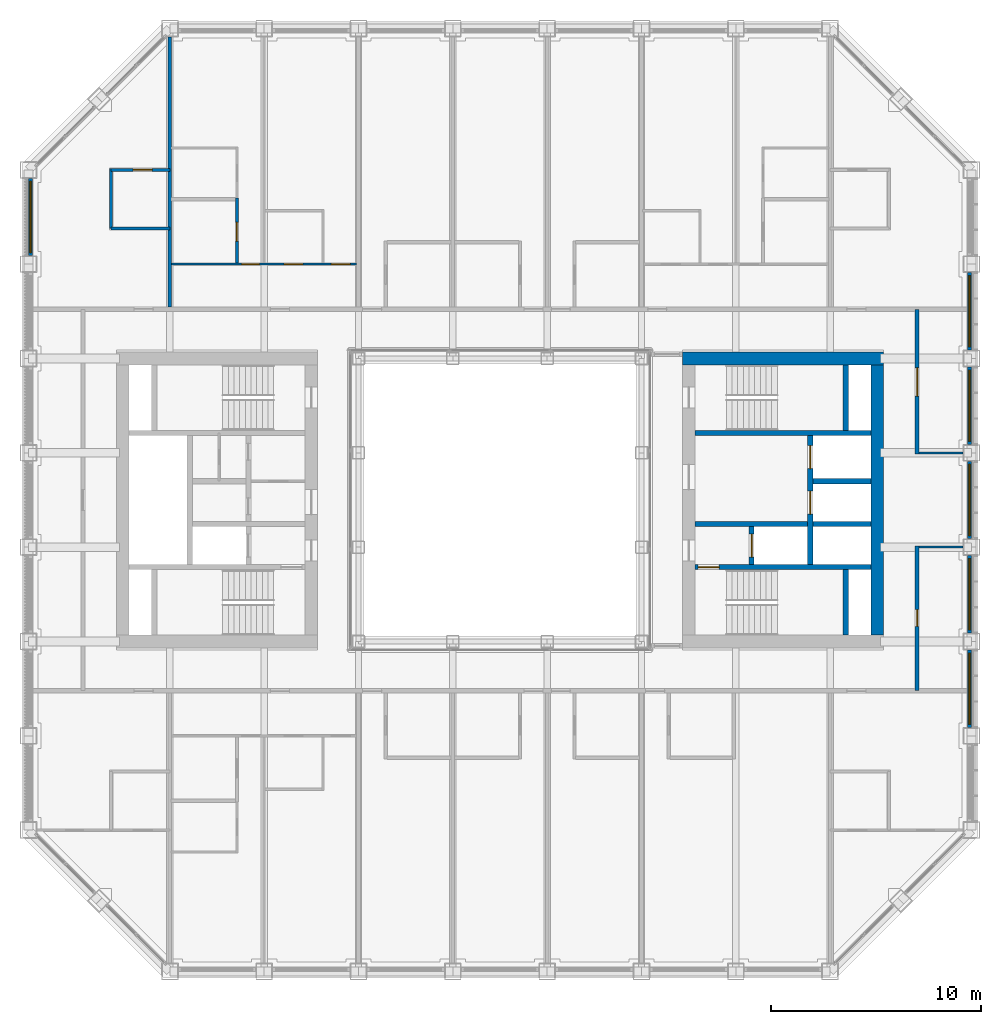
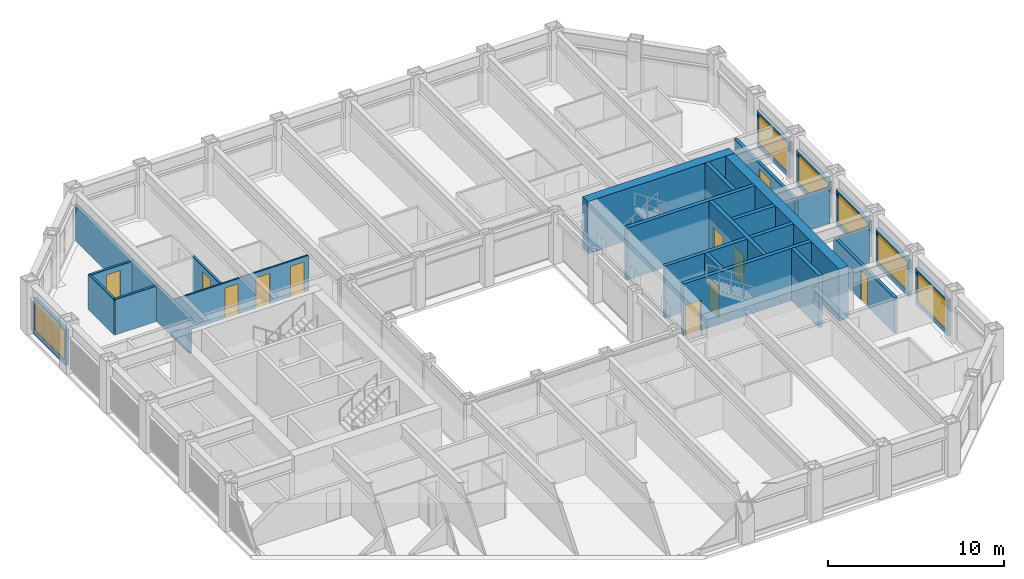
# One storey, part 13 of 18: 27 walls, 11 doors, 6 windows, 17 openings.
"""IFC4 building model written with IfcOpenShell, lengths in metres."""

from ifc_helpers import new_model, si_unit, direction, frame, frame_2d, origin, place, context, subcontext, project, spatial, rectangle, extrude, material, layer, layer_set, type_object, element, fill, save


model = new_model("IFC4")

# Units and contexts
model_context = context("Model", 3, precision=1e-05, world=origin(), true_north=direction((0.0, 1.0)))
body_context = subcontext(model_context, "Body", "Model", "MODEL_VIEW")
ifc_project = project(units=[si_unit("LENGTHUNIT", "METRE"), si_unit("AREAUNIT", "SQUARE_METRE"), si_unit("VOLUMEUNIT", "CUBIC_METRE"), si_unit("PLANEANGLEUNIT", "RADIAN"), si_unit("MASSUNIT", "GRAM", prefix="KILO")], contexts=[model_context])

# Site, building, storey
site_placement = place(None, origin())
site = spatial("IfcSite", under=ifc_project, at=site_placement, CompositionType="ELEMENT")
building_placement = place(site_placement, origin())
building = spatial("IfcBuilding", under=site, at=building_placement, Name="Msasa Ring Tower", CompositionType="ELEMENT")
storey_placement = place(building_placement, frame((0.0, 0.0, 183.199951171875)))
storey = spatial("IfcBuildingStorey", under=building, at=storey_placement, Name="L48", CompositionType="ELEMENT", Elevation=183.199951171875)

# Walls
ifc_material_1 = material(Name="Concrete C60/75", Category="concrete")
ifc_layer_1 = layer(ifc_material_1, 0.60009765625)
ifc_layer_set_1 = layer_set([ifc_layer_1], Name="CW2 CORE WALL 600")
wall_type_1 = type_object("IfcWallType", Name="CW2 CORE WALL 600", PredefinedType="SHEAR", material=ifc_layer_set_1)
wall_1_placement = place(storey_placement, frame((8.699951171875, 6.75, 0.0), z_axis=(0.0, 0.0, 1.0), x_axis=(1.0, 0.0, 0.0)))
element("IfcWall", 1, at=wall_1_placement, inside=storey, type_object=wall_type_1, Name="E core wall N L48", PredefinedType="SHEAR", context=body_context, shape_type="SweptSolid", body=[
    extrude(rectangle(XDim=9.60009765625, YDim=0.60009765625, at=frame_2d((4.800048828125, 0.0))), origin(), (0.0, 0.0, 1.0), 3.60009765625),
])
wall_2_placement = place(storey_placement, frame((18.0, -6.449951171875, 0.0), z_axis=(0.0, 0.0, 1.0), x_axis=(0.0, 1.0, 0.0)))
element("IfcWall", 2, at=wall_2_placement, inside=storey, type_object=wall_type_1, Name="E core wall E L48", PredefinedType="SHEAR", context=body_context, shape_type="SweptSolid", body=[
    extrude(rectangle(XDim=12.89990234375, YDim=0.60009765625, at=frame_2d((6.449951171875, 0.0))), origin(), (0.0, 0.0, 1.0), 3.60009765625),
])

# Wall, opening, door
ifc_material_2 = material(Name="Concrete C60/75", Category="concrete")
ifc_layer_2 = layer(ifc_material_2, 0.25)
ifc_layer_set_2 = layer_set([ifc_layer_2], Name="CW4 CORE INNER WALL 250")
wall_type_2 = type_object("IfcWallType", Name="CW4 CORE INNER WALL 250", PredefinedType="SHEAR", material=ifc_layer_set_2)
wall_3_placement = place(storey_placement, frame((9.300048828125, -3.199951171875, 0.0), z_axis=(0.0, 0.0, 1.0), x_axis=(1.0, 0.0, 0.0)))
wall_3 = element("IfcWall", 3, at=wall_3_placement, inside=storey, type_object=wall_type_2, Name="E core wall STAIRA L48", PredefinedType="SHEAR", context=body_context, shape_type="SweptSolid", body=[
    extrude(rectangle(XDim=8.39990234375, YDim=0.25, at=frame_2d((4.199951171875, 0.0))), origin(), (0.0, 0.0, 1.0), 3.60009765625),
])
opening_1_placement = place(wall_3_placement, frame((0.14990234375, 0.0, 0.0)))
opening_1 = element("IfcOpeningElement", 4, at=opening_1_placement, cuts=wall_3, Name="Opening HG-037", PredefinedType="OPENING", context=body_context, shape_type="SweptSolid", body=[
    extrude(rectangle(XDim=1.0, YDim=2.10009765625, at=frame_2d((0.5, 1.050048828125))), frame((0.0, 0.135009765625, 0.0), z_axis=(0.0, -1.0, 0.0), x_axis=(1.0, 0.0, 0.0)), (0.0, 0.0, 1.0), 0.27001953125),
])
ifc_material_3 = material(Name="Timber door leaf in a steel frame", Category="steel")
door_type_1 = type_object("IfcDoorType", Name="D6 STAIR DOOR 1000x2100", OperationType="SINGLE_SWING_LEFT", PredefinedType="DOOR", material=ifc_material_3)
door_1_placement = place(opening_1_placement, origin())
door_1 = element("IfcDoor", 5, at=door_1_placement, inside=storey, type_object=door_type_1, Name="Door L48-ESTA", OperationType="SINGLE_SWING_LEFT", OverallHeight=2.10009765625, OverallWidth=1.0, PredefinedType="DOOR", context=body_context, shape_type="SweptSolid", body=[
    extrude(rectangle(XDim=1.0, YDim=2.10009765625, at=frame_2d((0.5, 1.050048828125))), frame((0.0, 0.02490234375, 0.0), z_axis=(0.0, -1.0, 0.0), x_axis=(1.0, 0.0, 0.0)), (0.0, 0.0, 1.0), 0.050048828125),
])
fill(opening_1, door_1)

# Walls
wall_4_placement = place(storey_placement, frame((9.300048828125, 3.199951171875, 0.0), z_axis=(0.0, 0.0, 1.0), x_axis=(1.0, 0.0, 0.0)))
element("IfcWall", 6, at=wall_4_placement, inside=storey, type_object=wall_type_2, Name="E core wall STAIRB L48", PredefinedType="SHEAR", context=body_context, shape_type="SweptSolid", body=[
    extrude(rectangle(XDim=8.39990234375, YDim=0.25, at=frame_2d((4.199951171875, 0.0))), origin(), (0.0, 0.0, 1.0), 3.60009765625),
])
for number, where, z_axis, x_axis, name in (
    (7, (16.5, -6.449951171875, 0.0), (0.0, 0.0, 1.0), (0.0, 1.0, 0.0), "E core wall RISERA L48"),
    (8, (16.5, 3.324951171875, 0.0), (0.0, 0.0, 1.0), (0.0, 1.0, 0.0), "E core wall RISERB L48"),
):
    element("IfcWall", number, at=place(storey_placement, frame(where, z_axis=z_axis, x_axis=x_axis)), inside=storey, type_object=wall_type_2, Name=name, PredefinedType="SHEAR", context=body_context, shape_type="SweptSolid", body=[
        extrude(rectangle(XDim=3.125, YDim=0.25, at=frame_2d((1.5625, 0.0))), origin(), (0.0, 0.0, 1.0), 3.60009765625),
    ])
wall_5_placement = place(storey_placement, frame((9.300048828125, -1.14990234375, 0.0), z_axis=(0.0, 0.0, 1.0), x_axis=(1.0, 0.0, 0.0)))
element("IfcWall", 9, at=wall_5_placement, inside=storey, type_object=wall_type_2, Name="E core wall FFL L48", PredefinedType="SHEAR", context=body_context, shape_type="SweptSolid", body=[
    extrude(rectangle(XDim=5.375, YDim=0.25, at=frame_2d((2.6875, 0.0))), origin(), (0.0, 0.0, 1.0), 3.60009765625),
])

# Wall, opening, door
wall_6_placement = place(storey_placement, frame((12.0, -3.074951171875, 0.0), z_axis=(0.0, 0.0, 1.0), x_axis=(0.0, 1.0, 0.0)))
wall_6 = element("IfcWall", 10, at=wall_6_placement, inside=storey, type_object=wall_type_2, Name="E core wall LOBBY L48", PredefinedType="SHEAR", context=body_context, shape_type="SweptSolid", body=[
    extrude(rectangle(XDim=1.800048828125, YDim=0.25, at=frame_2d((0.89990234375, 0.0))), origin(), (0.0, 0.0, 1.0), 3.60009765625),
])
opening_2_placement = place(wall_6_placement, frame((0.35009765625, 0.0, 0.0)))
opening_2 = element("IfcOpeningElement", 11, at=opening_2_placement, cuts=wall_6, Name="Opening LD1", PredefinedType="OPENING", context=body_context, shape_type="SweptSolid", body=[
    extrude(rectangle(XDim=1.10009765625, YDim=2.10009765625, at=frame_2d((0.550048828125, 1.050048828125))), frame((0.0, 0.135009765625, 0.0), z_axis=(0.0, -1.0, 0.0), x_axis=(1.0, 0.0, 0.0)), (0.0, 0.0, 1.0), 0.27001953125),
])
ifc_material_4 = material(Name="Stainless steel lift landing door", Category="steel")
door_type_2 = type_object("IfcDoorType", Name="LD1 LIFT LANDING DOOR 1100x2100", OperationType="DOUBLE_DOOR_SLIDING", PredefinedType="DOOR", material=ifc_material_4)
door_2_placement = place(opening_2_placement, origin())
door_2 = element("IfcDoor", 12, at=door_2_placement, inside=storey, type_object=door_type_2, Name="Lift landing door FL-E L48", OperationType="DOUBLE_DOOR_SLIDING", OverallHeight=2.10009765625, OverallWidth=1.10009765625, PredefinedType="DOOR", context=body_context, shape_type="SweptSolid", body=[
    extrude(rectangle(XDim=1.10009765625, YDim=2.10009765625, at=frame_2d((0.550048828125, 1.050048828125))), frame((0.0, 0.02490234375, 0.0), z_axis=(0.0, -1.0, 0.0), x_axis=(1.0, 0.0, 0.0)), (0.0, 0.0, 1.0), 0.050048828125),
])
fill(opening_2, door_2)

# Wall, openings, doors
wall_7_placement = place(storey_placement, frame((14.800048828125, -3.074951171875, 0.0), z_axis=(0.0, 0.0, 1.0), x_axis=(0.0, 1.0, 0.0)))
wall_7 = element("IfcWall", 13, at=wall_7_placement, inside=storey, type_object=wall_type_2, Name="E core wall SHAFT L48", PredefinedType="SHEAR", context=body_context, shape_type="SweptSolid", body=[
    extrude(rectangle(XDim=6.14990234375, YDim=0.25, at=frame_2d((3.074951171875, 0.0))), origin(), (0.0, 0.0, 1.0), 3.60009765625),
])
opening_3_placement = place(wall_7_placement, frame((2.39990234375, 0.0, 0.0)))
opening_3 = element("IfcOpeningElement", 14, at=opening_3_placement, cuts=wall_7, Name="Opening LD1", PredefinedType="OPENING", context=body_context, shape_type="SweptSolid", body=[
    extrude(rectangle(XDim=1.10009765625, YDim=2.10009765625, at=frame_2d((0.550048828125, 1.050048828125))), frame((0.0, 0.135009765625, 0.0), z_axis=(0.0, -1.0, 0.0), x_axis=(1.0, 0.0, 0.0)), (0.0, 0.0, 1.0), 0.27001953125),
])
opening_4_placement = place(wall_7_placement, frame((4.574951171875, 0.0, 0.0)))
opening_4 = element("IfcOpeningElement", 15, at=opening_4_placement, cuts=wall_7, Name="Opening LD1", PredefinedType="OPENING", context=body_context, shape_type="SweptSolid", body=[
    extrude(rectangle(XDim=1.10009765625, YDim=2.10009765625, at=frame_2d((0.550048828125, 1.050048828125))), frame((0.0, 0.135009765625, 0.0), z_axis=(0.0, -1.0, 0.0), x_axis=(1.0, 0.0, 0.0)), (0.0, 0.0, 1.0), 0.27001953125),
])
door_3_placement = place(opening_3_placement, origin())
door_3 = element("IfcDoor", 16, at=door_3_placement, inside=storey, type_object=door_type_2, Name="Lift landing door PL-H1 L48", OperationType="DOUBLE_DOOR_SLIDING", OverallHeight=2.10009765625, OverallWidth=1.10009765625, PredefinedType="DOOR", context=body_context, shape_type="SweptSolid", body=[
    extrude(rectangle(XDim=1.10009765625, YDim=2.10009765625, at=frame_2d((0.550048828125, 1.050048828125))), frame((0.0, 0.02490234375, 0.0), z_axis=(0.0, -1.0, 0.0), x_axis=(1.0, 0.0, 0.0)), (0.0, 0.0, 1.0), 0.050048828125),
])
fill(opening_3, door_3)
door_4_placement = place(opening_4_placement, origin())
door_4 = element("IfcDoor", 17, at=door_4_placement, inside=storey, type_object=door_type_2, Name="Lift landing door PL-H2 L48", OperationType="DOUBLE_DOOR_SLIDING", OverallHeight=2.10009765625, OverallWidth=1.10009765625, PredefinedType="DOOR", context=body_context, shape_type="SweptSolid", body=[
    extrude(rectangle(XDim=1.10009765625, YDim=2.10009765625, at=frame_2d((0.550048828125, 1.050048828125))), frame((0.0, 0.02490234375, 0.0), z_axis=(0.0, -1.0, 0.0), x_axis=(1.0, 0.0, 0.0)), (0.0, 0.0, 1.0), 0.050048828125),
])
fill(opening_4, door_4)

# Walls
for number, where, z_axis, x_axis, name in (
    (18, (14.925048828125, -1.14990234375, 0.0), (0.0, 0.0, 1.0), (1.0, 0.0, 0.0), "E core wall HSEP L48"),
    (19, (14.925048828125, 0.89990234375, 0.0), (0.0, 0.0, 1.0), (1.0, 0.0, 0.0), "E core wall HLIFT L48"),
):
    element("IfcWall", number, at=place(storey_placement, frame(where, z_axis=z_axis, x_axis=x_axis)), inside=storey, type_object=wall_type_2, Name=name, PredefinedType="SHEAR", context=body_context, shape_type="SweptSolid", body=[
        extrude(rectangle(XDim=2.77490234375, YDim=0.25, at=frame_2d((1.387451171875, 0.0))), origin(), (0.0, 0.0, 1.0), 3.60009765625),
    ])

# Wall, opening, window
ifc_material_5 = material(Name="Terracotta rainscreen on blockwork", Category="masonry")
ifc_layer_3 = layer(ifc_material_5, 0.199951171875)
ifc_layer_set_3 = layer_set([ifc_layer_3], Name="FW1 TERRACOTTA-LINED INFILL BAY WALL 200")
wall_type_3 = type_object("IfcWallType", Name="FW1 TERRACOTTA-LINED INFILL BAY WALL 200", PredefinedType="SOLIDWALL", material=ifc_layer_set_3)
wall_8_placement = place(storey_placement, frame((22.39990234375, -10.844970703125, 0.0), z_axis=(0.0, 0.0, 1.0), x_axis=(0.0, 1.0, 0.0)))
wall_8 = element("IfcWall", 20, at=wall_8_placement, inside=storey, type_object=wall_type_3, Name="Infill bay wall E L48 10", PredefinedType="SOLIDWALL", context=body_context, shape_type="SweptSolid", body=[
    extrude(rectangle(XDim=3.68994140625, YDim=0.199951171875, at=frame_2d((1.844970703125, 0.0))), origin(), (0.0, 0.0, 1.0), 2.47900390625),
])
opening_5_placement = place(wall_8_placement, frame((0.14501953125, 0.0, 0.300048828125)))
opening_5 = element("IfcOpeningElement", 21, at=opening_5_placement, cuts=wall_8, Name="Opening WN2", PredefinedType="OPENING", context=body_context, shape_type="SweptSolid", body=[
    extrude(rectangle(XDim=3.39990234375, YDim=2.029052734375, at=frame_2d((1.699951171875, 1.0146484375))), frame((0.0, 0.10986328125, 0.0), z_axis=(0.0, -1.0, 0.0), x_axis=(1.0, 0.0, 0.0)), (0.0, 0.0, 1.0), 0.219970703125),
])
ifc_material_6 = material(Name="Aluminium frame with clear glass", Category="aluminium")
window_type = type_object("IfcWindowType", Name="WN2 GUEST ROOM WINDOW 3400x2029", PartitioningType="SINGLE_PANEL", PredefinedType="WINDOW", material=ifc_material_6)
window_1_placement = place(opening_5_placement, origin())
window_1 = element("IfcWindow", 22, at=window_1_placement, inside=storey, type_object=window_type, Name="Window E L48 10", OverallHeight=2.029052734375, OverallWidth=3.39990234375, PartitioningType="SINGLE_PANEL", PredefinedType="WINDOW", context=body_context, shape_type="SweptSolid", body=[
    extrude(rectangle(XDim=3.39990234375, YDim=2.029052734375, at=frame_2d((1.699951171875, 1.0146484375))), frame((0.0, 0.030029296875, 0.0), z_axis=(0.0, -1.0, 0.0), x_axis=(1.0, 0.0, 0.0)), (0.0, 0.0, 1.0), 0.06005859375),
])
fill(opening_5, window_1)

wall_9_placement = place(storey_placement, frame((22.39990234375, -6.344970703125, 0.0), z_axis=(0.0, 0.0, 1.0), x_axis=(0.0, 1.0, 0.0)))
wall_9 = element("IfcWall", 23, at=wall_9_placement, inside=storey, type_object=wall_type_3, Name="Infill bay wall E L48 11", PredefinedType="SOLIDWALL", context=body_context, shape_type="SweptSolid", body=[
    extrude(rectangle(XDim=3.68994140625, YDim=0.199951171875, at=frame_2d((1.844970703125, 0.0))), origin(), (0.0, 0.0, 1.0), 2.47900390625),
])
opening_6_placement = place(wall_9_placement, frame((0.14501953125, 0.0, 0.300048828125)))
opening_6 = element("IfcOpeningElement", 24, at=opening_6_placement, cuts=wall_9, Name="Opening WN2", PredefinedType="OPENING", context=body_context, shape_type="SweptSolid", body=[
    extrude(rectangle(XDim=3.39990234375, YDim=2.029052734375, at=frame_2d((1.699951171875, 1.0146484375))), frame((0.0, 0.10986328125, 0.0), z_axis=(0.0, -1.0, 0.0), x_axis=(1.0, 0.0, 0.0)), (0.0, 0.0, 1.0), 0.219970703125),
])
window_2_placement = place(opening_6_placement, origin())
window_2 = element("IfcWindow", 25, at=window_2_placement, inside=storey, type_object=window_type, Name="Window E L48 11", OverallHeight=2.029052734375, OverallWidth=3.39990234375, PartitioningType="SINGLE_PANEL", PredefinedType="WINDOW", context=body_context, shape_type="SweptSolid", body=[
    extrude(rectangle(XDim=3.39990234375, YDim=2.029052734375, at=frame_2d((1.699951171875, 1.0146484375))), frame((0.0, 0.030029296875, 0.0), z_axis=(0.0, -1.0, 0.0), x_axis=(1.0, 0.0, 0.0)), (0.0, 0.0, 1.0), 0.06005859375),
])
fill(opening_6, window_2)

wall_10_placement = place(storey_placement, frame((22.39990234375, -1.844970703125, 0.0), z_axis=(0.0, 0.0, 1.0), x_axis=(0.0, 1.0, 0.0)))
wall_10 = element("IfcWall", 26, at=wall_10_placement, inside=storey, type_object=wall_type_3, Name="Infill bay wall E L48 12", PredefinedType="SOLIDWALL", context=body_context, shape_type="SweptSolid", body=[
    extrude(rectangle(XDim=3.68994140625, YDim=0.199951171875, at=frame_2d((1.844970703125, 0.0))), origin(), (0.0, 0.0, 1.0), 2.47900390625),
])
opening_7_placement = place(wall_10_placement, frame((0.14501953125, 0.0, 0.300048828125)))
opening_7 = element("IfcOpeningElement", 27, at=opening_7_placement, cuts=wall_10, Name="Opening WN2", PredefinedType="OPENING", context=body_context, shape_type="SweptSolid", body=[
    extrude(rectangle(XDim=3.39990234375, YDim=2.029052734375, at=frame_2d((1.699951171875, 1.0146484375))), frame((0.0, 0.10986328125, 0.0), z_axis=(0.0, -1.0, 0.0), x_axis=(1.0, 0.0, 0.0)), (0.0, 0.0, 1.0), 0.219970703125),
])
window_3_placement = place(opening_7_placement, origin())
window_3 = element("IfcWindow", 28, at=window_3_placement, inside=storey, type_object=window_type, Name="Window E L48 12", OverallHeight=2.029052734375, OverallWidth=3.39990234375, PartitioningType="SINGLE_PANEL", PredefinedType="WINDOW", context=body_context, shape_type="SweptSolid", body=[
    extrude(rectangle(XDim=3.39990234375, YDim=2.029052734375, at=frame_2d((1.699951171875, 1.0146484375))), frame((0.0, 0.030029296875, 0.0), z_axis=(0.0, -1.0, 0.0), x_axis=(1.0, 0.0, 0.0)), (0.0, 0.0, 1.0), 0.06005859375),
])
fill(opening_7, window_3)

wall_11_placement = place(storey_placement, frame((22.39990234375, 2.655029296875, 0.0), z_axis=(0.0, 0.0, 1.0), x_axis=(0.0, 1.0, 0.0)))
wall_11 = element("IfcWall", 29, at=wall_11_placement, inside=storey, type_object=wall_type_3, Name="Infill bay wall E L48 13", PredefinedType="SOLIDWALL", context=body_context, shape_type="SweptSolid", body=[
    extrude(rectangle(XDim=3.68994140625, YDim=0.199951171875, at=frame_2d((1.844970703125, 0.0))), origin(), (0.0, 0.0, 1.0), 2.47900390625),
])
opening_8_placement = place(wall_11_placement, frame((0.14501953125, 0.0, 0.300048828125)))
opening_8 = element("IfcOpeningElement", 30, at=opening_8_placement, cuts=wall_11, Name="Opening WN2", PredefinedType="OPENING", context=body_context, shape_type="SweptSolid", body=[
    extrude(rectangle(XDim=3.39990234375, YDim=2.029052734375, at=frame_2d((1.699951171875, 1.0146484375))), frame((0.0, 0.10986328125, 0.0), z_axis=(0.0, -1.0, 0.0), x_axis=(1.0, 0.0, 0.0)), (0.0, 0.0, 1.0), 0.219970703125),
])
window_4_placement = place(opening_8_placement, origin())
window_4 = element("IfcWindow", 31, at=window_4_placement, inside=storey, type_object=window_type, Name="Window E L48 13", OverallHeight=2.029052734375, OverallWidth=3.39990234375, PartitioningType="SINGLE_PANEL", PredefinedType="WINDOW", context=body_context, shape_type="SweptSolid", body=[
    extrude(rectangle(XDim=3.39990234375, YDim=2.029052734375, at=frame_2d((1.699951171875, 1.0146484375))), frame((0.0, 0.030029296875, 0.0), z_axis=(0.0, -1.0, 0.0), x_axis=(1.0, 0.0, 0.0)), (0.0, 0.0, 1.0), 0.06005859375),
])
fill(opening_8, window_4)

wall_12_placement = place(storey_placement, frame((22.39990234375, 7.155029296875, 0.0), z_axis=(0.0, 0.0, 1.0), x_axis=(0.0, 1.0, 0.0)))
wall_12 = element("IfcWall", 32, at=wall_12_placement, inside=storey, type_object=wall_type_3, Name="Infill bay wall E L48 14", PredefinedType="SOLIDWALL", context=body_context, shape_type="SweptSolid", body=[
    extrude(rectangle(XDim=3.68994140625, YDim=0.199951171875, at=frame_2d((1.844970703125, 0.0))), origin(), (0.0, 0.0, 1.0), 2.47900390625),
])
opening_9_placement = place(wall_12_placement, frame((0.14501953125, 0.0, 0.300048828125)))
opening_9 = element("IfcOpeningElement", 33, at=opening_9_placement, cuts=wall_12, Name="Opening WN2", PredefinedType="OPENING", context=body_context, shape_type="SweptSolid", body=[
    extrude(rectangle(XDim=3.39990234375, YDim=2.029052734375, at=frame_2d((1.699951171875, 1.0146484375))), frame((0.0, 0.10986328125, 0.0), z_axis=(0.0, -1.0, 0.0), x_axis=(1.0, 0.0, 0.0)), (0.0, 0.0, 1.0), 0.219970703125),
])
window_5_placement = place(opening_9_placement, origin())
window_5 = element("IfcWindow", 34, at=window_5_placement, inside=storey, type_object=window_type, Name="Window E L48 14", OverallHeight=2.029052734375, OverallWidth=3.39990234375, PartitioningType="SINGLE_PANEL", PredefinedType="WINDOW", context=body_context, shape_type="SweptSolid", body=[
    extrude(rectangle(XDim=3.39990234375, YDim=2.029052734375, at=frame_2d((1.699951171875, 1.0146484375))), frame((0.0, 0.030029296875, 0.0), z_axis=(0.0, -1.0, 0.0), x_axis=(1.0, 0.0, 0.0)), (0.0, 0.0, 1.0), 0.06005859375),
])
fill(opening_9, window_5)

wall_13_placement = place(storey_placement, frame((-22.39990234375, 11.655029296875, 0.0), z_axis=(0.0, 0.0, 1.0), x_axis=(0.0, 1.0, 0.0)))
wall_13 = element("IfcWall", 35, at=wall_13_placement, inside=storey, type_object=wall_type_3, Name="Infill bay wall W L48 33", PredefinedType="SOLIDWALL", context=body_context, shape_type="SweptSolid", body=[
    extrude(rectangle(XDim=3.68994140625, YDim=0.199951171875, at=frame_2d((1.844970703125, 0.0))), origin(), (0.0, 0.0, 1.0), 2.47900390625),
])
opening_10_placement = place(wall_13_placement, frame((0.14501953125, 0.0, 0.300048828125)))
opening_10 = element("IfcOpeningElement", 36, at=opening_10_placement, cuts=wall_13, Name="Opening WN2", PredefinedType="OPENING", context=body_context, shape_type="SweptSolid", body=[
    extrude(rectangle(XDim=3.39990234375, YDim=2.029052734375, at=frame_2d((1.699951171875, 1.0146484375))), frame((0.0, 0.10986328125, 0.0), z_axis=(0.0, -1.0, 0.0), x_axis=(1.0, 0.0, 0.0)), (0.0, 0.0, 1.0), 0.219970703125),
])
window_6_placement = place(opening_10_placement, origin())
window_6 = element("IfcWindow", 37, at=window_6_placement, inside=storey, type_object=window_type, Name="Window W L48 33", OverallHeight=2.029052734375, OverallWidth=3.39990234375, PartitioningType="SINGLE_PANEL", PredefinedType="WINDOW", context=body_context, shape_type="SweptSolid", body=[
    extrude(rectangle(XDim=3.39990234375, YDim=2.029052734375, at=frame_2d((1.699951171875, 1.0146484375))), frame((0.0, 0.030029296875, 0.0), z_axis=(0.0, -1.0, 0.0), x_axis=(1.0, 0.0, 0.0)), (0.0, 0.0, 1.0), 0.06005859375),
])
fill(opening_10, window_6)

# Wall, opening, door
ifc_material_7 = material(Name="Concrete blockwork", Category="masonry")
ifc_layer_4 = layer(ifc_material_7, 0.199951171875)
ifc_layer_set_4 = layer_set([ifc_layer_4], Name="PT1 CORRIDOR WALL 200")
wall_type_4 = type_object("IfcWallType", Name="PT1 CORRIDOR WALL 200", PredefinedType="PARTITIONING", material=ifc_layer_set_4)
wall_14_placement = place(storey_placement, frame((19.89990234375, -9.10009765625, 0.0), z_axis=(0.0, 0.0, 1.0), x_axis=(0.0, 1.0, 0.0)))
wall_14 = element("IfcWall", 38, at=wall_14_placement, inside=storey, type_object=wall_type_4, Name="Corridor wall L48-STRES", PredefinedType="PARTITIONING", context=body_context, shape_type="SweptSolid", body=[
    extrude(rectangle(XDim=6.900146484375, YDim=0.199951171875, at=frame_2d((3.4501953125, 0.0))), origin(), (0.0, 0.0, 1.0), 2.473388671875),
])
opening_11_placement = place(wall_14_placement, frame((3.074951171875, 0.0, 0.0)))
opening_11 = element("IfcOpeningElement", 39, at=opening_11_placement, cuts=wall_14, Name="Opening HG-038", PredefinedType="OPENING", context=body_context, shape_type="SweptSolid", body=[
    extrude(rectangle(XDim=0.800048828125, YDim=2.10009765625, at=frame_2d((0.39990234375, 1.050048828125))), frame((0.0, 0.10986328125, 0.0), z_axis=(0.0, -1.0, 0.0), x_axis=(1.0, 0.0, 0.0)), (0.0, 0.0, 1.0), 0.219970703125),
])
ifc_material_8 = material(Name="Timber door leaf in a steel frame", Category="steel")
door_type_3 = type_object("IfcDoorType", Name="D11 NARROW STORE DOOR 800x2100", OperationType="SINGLE_SWING_LEFT", PredefinedType="DOOR", material=ifc_material_8)
door_5_placement = place(opening_11_placement, origin())
door_5 = element("IfcDoor", 40, at=door_5_placement, inside=storey, type_object=door_type_3, Name="Door L48-CLE", OperationType="SINGLE_SWING_LEFT", OverallHeight=2.10009765625, OverallWidth=0.800048828125, PredefinedType="DOOR", context=body_context, shape_type="SweptSolid", body=[
    extrude(rectangle(XDim=0.800048828125, YDim=2.10009765625, at=frame_2d((0.39990234375, 1.050048828125))), frame((0.0, 0.02490234375, 0.0), z_axis=(0.0, -1.0, 0.0), x_axis=(1.0, 0.0, 0.0)), (0.0, 0.0, 1.0), 0.050048828125),
])
fill(opening_11, door_5)

wall_15_placement = place(storey_placement, frame((19.89990234375, 2.199951171875, 0.0), z_axis=(0.0, 0.0, 1.0), x_axis=(0.0, 1.0, 0.0)))
wall_15 = element("IfcWall", 41, at=wall_15_placement, inside=storey, type_object=wall_type_4, Name="Corridor wall L48-STREN", PredefinedType="PARTITIONING", context=body_context, shape_type="SweptSolid", body=[
    extrude(rectangle(XDim=6.900146484375, YDim=0.199951171875, at=frame_2d((3.4501953125, 0.0))), origin(), (0.0, 0.0, 1.0), 2.473388671875),
])
opening_12_placement = place(wall_15_placement, frame((2.75, 0.0, 0.0)))
opening_12 = element("IfcOpeningElement", 42, at=opening_12_placement, cuts=wall_15, Name="Opening HG-024", PredefinedType="OPENING", context=body_context, shape_type="SweptSolid", body=[
    extrude(rectangle(XDim=1.35009765625, YDim=2.10009765625, at=frame_2d((0.675048828125, 1.050048828125))), frame((0.0, 0.10986328125, 0.0), z_axis=(0.0, -1.0, 0.0), x_axis=(1.0, 0.0, 0.0)), (0.0, 0.0, 1.0), 0.219970703125),
])
ifc_material_9 = material(Name="Timber door leaf in a steel frame", Category="steel")
door_type_4 = type_object("IfcDoorType", Name="D23 HOUSEKEEPING UNEQUAL PAIR OF DOORS 1350x2100", OperationType="SINGLE_SWING_LEFT", PredefinedType="DOOR", material=ifc_material_9)
door_6_placement = place(opening_12_placement, origin())
door_6 = element("IfcDoor", 43, at=door_6_placement, inside=storey, type_object=door_type_4, Name="Door L48-HKE", OperationType="SINGLE_SWING_LEFT", OverallHeight=2.10009765625, OverallWidth=1.35009765625, PredefinedType="DOOR", context=body_context, shape_type="SweptSolid", body=[
    extrude(rectangle(XDim=1.35009765625, YDim=2.10009765625, at=frame_2d((0.675048828125, 1.050048828125))), frame((0.0, 0.02490234375, 0.0), z_axis=(0.0, -1.0, 0.0), x_axis=(1.0, 0.0, 0.0)), (0.0, 0.0, 1.0), 0.050048828125),
])
fill(opening_12, door_6)

# Wall, openings, doors
ifc_material_10 = material(Name="Gypsum board on steel studs", Category="steel")
ifc_layer_5 = layer(ifc_material_10, 0.10009765625)
ifc_layer_set_5 = layer_set([ifc_layer_5], Name="PT2 STUD PARTITION 100")
wall_type_5 = type_object("IfcWallType", Name="PT2 STUD PARTITION 100", PredefinedType="PARTITIONING", material=ifc_layer_set_5)
wall_16_placement = place(storey_placement, frame((-15.66259765625, 11.25, 0.0), z_axis=(0.0, 0.0, 1.0), x_axis=(1.0, 0.0, 0.0)))
wall_16 = element("IfcWall", 44, at=wall_16_placement, inside=storey, type_object=wall_type_5, Name="Partition L48-GN00HY", PredefinedType="PARTITIONING", context=body_context, shape_type="SweptSolid", body=[
    extrude(rectangle(XDim=8.8251953125, YDim=0.10009765625, at=frame_2d((4.41259765625, 0.0))), origin(), (0.0, 0.0, 1.0), 2.473388671875),
])
opening_13_placement = place(wall_16_placement, frame((5.362548828125, 0.0, 0.0)))
opening_13 = element("IfcOpeningElement", 45, at=opening_13_placement, cuts=wall_16, Name="Opening HG-008", PredefinedType="OPENING", context=body_context, shape_type="SweptSolid", body=[
    extrude(rectangle(XDim=0.89990234375, YDim=2.10009765625, at=frame_2d((0.449951171875, 1.050048828125))), frame((0.0, 0.06005859375, 0.0), z_axis=(0.0, -1.0, 0.0), x_axis=(1.0, 0.0, 0.0)), (0.0, 0.0, 1.0), 0.1201171875),
])
opening_14_placement = place(wall_16_placement, frame((7.612548828125, 0.0, 0.0)))
opening_14 = element("IfcOpeningElement", 46, at=opening_14_placement, cuts=wall_16, Name="Opening HG-009", PredefinedType="OPENING", context=body_context, shape_type="SweptSolid", body=[
    extrude(rectangle(XDim=0.89990234375, YDim=2.10009765625, at=frame_2d((0.449951171875, 1.050048828125))), frame((0.0, 0.06005859375, 0.0), z_axis=(0.0, -1.0, 0.0), x_axis=(1.0, 0.0, 0.0)), (0.0, 0.0, 1.0), 0.1201171875),
])
opening_15_placement = place(wall_16_placement, frame((3.33740234375, 0.0, 0.0)))
opening_15 = element("IfcOpeningElement", 47, at=opening_15_placement, cuts=wall_16, Name="Opening HG-007", PredefinedType="OPENING", context=body_context, shape_type="SweptSolid", body=[
    extrude(rectangle(XDim=0.85009765625, YDim=2.10009765625, at=frame_2d((0.425048828125, 1.050048828125))), frame((0.0, 0.06005859375, 0.0), z_axis=(0.0, -1.0, 0.0), x_axis=(1.0, 0.0, 0.0)), (0.0, 0.0, 1.0), 0.1201171875),
])
ifc_material_11 = material(Name="Timber door leaf in a steel frame", Category="steel")
door_type_5 = type_object("IfcDoorType", Name="D14 BEDROOM DOOR 850x2100", OperationType="SINGLE_SWING_LEFT", PredefinedType="DOOR", material=ifc_material_11)
door_7_placement = place(opening_15_placement, origin())
door_7 = element("IfcDoor", 48, at=door_7_placement, inside=storey, type_object=door_type_5, Name="Door L48-GN00R1", OperationType="SINGLE_SWING_LEFT", OverallHeight=2.10009765625, OverallWidth=0.85009765625, PredefinedType="DOOR", context=body_context, shape_type="SweptSolid", body=[
    extrude(rectangle(XDim=0.85009765625, YDim=2.10009765625, at=frame_2d((0.425048828125, 1.050048828125))), frame((0.0, 0.02490234375, 0.0), z_axis=(0.0, -1.0, 0.0), x_axis=(1.0, 0.0, 0.0)), (0.0, 0.0, 1.0), 0.050048828125),
])
fill(opening_15, door_7)
ifc_material_12 = material(Name="Timber door leaf in a steel frame", Category="steel")
door_type_6 = type_object("IfcDoorType", Name="D22 INTERNAL HALL DOOR 900x2100", OperationType="SINGLE_SWING_LEFT", PredefinedType="DOOR", material=ifc_material_12)
door_8_placement = place(opening_13_placement, origin())
door_8 = element("IfcDoor", 49, at=door_8_placement, inside=storey, type_object=door_type_6, Name="Door L48-GN00K", OperationType="SINGLE_SWING_RIGHT", OverallHeight=2.10009765625, OverallWidth=0.89990234375, PredefinedType="DOOR", context=body_context, shape_type="SweptSolid", body=[
    extrude(rectangle(XDim=0.89990234375, YDim=2.10009765625, at=frame_2d((0.449951171875, 1.050048828125))), frame((0.0, 0.02490234375, 0.0), z_axis=(0.0, -1.0, 0.0), x_axis=(1.0, 0.0, 0.0)), (0.0, 0.0, 1.0), 0.050048828125),
])
fill(opening_13, door_8)
door_9_placement = place(opening_14_placement, origin())
door_9 = element("IfcDoor", 50, at=door_9_placement, inside=storey, type_object=door_type_6, Name="Door L48-GN00L", OperationType="SINGLE_SWING_RIGHT", OverallHeight=2.10009765625, OverallWidth=0.89990234375, PredefinedType="DOOR", context=body_context, shape_type="SweptSolid", body=[
    extrude(rectangle(XDim=0.89990234375, YDim=2.10009765625, at=frame_2d((0.449951171875, 1.050048828125))), frame((0.0, 0.02490234375, 0.0), z_axis=(0.0, -1.0, 0.0), x_axis=(1.0, 0.0, 0.0)), (0.0, 0.0, 1.0), 0.050048828125),
])
fill(opening_14, door_9)

# Walls
for number, where, z_axis, x_axis, name in (
    (51, (20.0, 2.25, 0.0), (0.0, 0.0, 1.0), (1.0, 0.0, 0.0), "Partition L48-ALEN"),
    (52, (20.0, -2.25, 0.0), (0.0, 0.0, 1.0), (1.0, 0.0, 0.0), "Partition L48-ALES"),
):
    element("IfcWall", number, at=place(storey_placement, frame(where, z_axis=z_axis, x_axis=x_axis)), inside=storey, type_object=wall_type_5, Name=name, PredefinedType="PARTITIONING", context=body_context, shape_type="SweptSolid", body=[
        extrude(rectangle(XDim=2.10009765625, YDim=0.10009765625, at=frame_2d((1.050048828125, 0.0))), origin(), (0.0, 0.0, 1.0), 2.473388671875),
    ])

# Wall, opening, door
ifc_material_13 = material(Name="Moisture-resistant board on steel studs with a concealed cistern and pipe void, tiled", Category="steel")
ifc_layer_6 = layer(ifc_material_13, 0.14990234375)
ifc_layer_set_6 = layer_set([ifc_layer_6], Name="PT4 BATHROOM WET WALL 150")
wall_type_6 = type_object("IfcWallType", Name="PT4 BATHROOM WET WALL 150", PredefinedType="PARTITIONING", material=ifc_layer_set_6)
wall_17_placement = place(storey_placement, frame((-12.550048828125, 11.300048828125, 0.0), z_axis=(0.0, 0.0, 1.0), x_axis=(0.0, 1.0, 0.0)))
wall_17 = element("IfcWall", 53, at=wall_17_placement, inside=storey, type_object=wall_type_6, Name="Partition L48-GN00BX1", PredefinedType="PARTITIONING", context=body_context, shape_type="SweptSolid", body=[
    extrude(rectangle(XDim=3.099853515625, YDim=0.14990234375, at=frame_2d((1.5498046875, 0.0))), origin(), (0.0, 0.0, 1.0), 2.473388671875),
])
opening_16_placement = place(wall_17_placement, frame((1.050048828125, 0.0, 0.0)))
opening_16 = element("IfcOpeningElement", 54, at=opening_16_placement, cuts=wall_17, Name="Opening HG-005", PredefinedType="OPENING", context=body_context, shape_type="SweptSolid", body=[
    extrude(rectangle(XDim=0.89990234375, YDim=2.10009765625, at=frame_2d((0.449951171875, 1.050048828125))), frame((0.0, 0.0849609375, 0.0), z_axis=(0.0, -1.0, 0.0), x_axis=(1.0, 0.0, 0.0)), (0.0, 0.0, 1.0), 0.169921875),
])
ifc_material_14 = material(Name="Timber door leaf in a steel frame", Category="steel")
door_type_7 = type_object("IfcDoorType", Name="D3 BATHROOM DOOR 900x2100", OperationType="SINGLE_SWING_LEFT", PredefinedType="DOOR", material=ifc_material_14)
door_10_placement = place(opening_16_placement, origin())
door_10 = element("IfcDoor", 55, at=door_10_placement, inside=storey, type_object=door_type_7, Name="Door L48-GN00B1", OperationType="SINGLE_SWING_LEFT", OverallHeight=2.10009765625, OverallWidth=0.89990234375, PredefinedType="DOOR", context=body_context, shape_type="SweptSolid", body=[
    extrude(rectangle(XDim=0.89990234375, YDim=2.10009765625, at=frame_2d((0.449951171875, 1.050048828125))), frame((0.0, 0.02490234375, 0.0), z_axis=(0.0, -1.0, 0.0), x_axis=(1.0, 0.0, 0.0)), (0.0, 0.0, 1.0), 0.050048828125),
])
fill(opening_16, door_10)

# Walls
wall_18_placement = place(storey_placement, frame((-18.550048828125, 12.949951171875, 0.0), z_axis=(0.0, 0.0, 1.0), x_axis=(0.0, 1.0, 0.0)))
element("IfcWall", 56, at=wall_18_placement, inside=storey, type_object=wall_type_6, Name="Partition L48-CSNWBX", PredefinedType="PARTITIONING", context=body_context, shape_type="SweptSolid", body=[
    extrude(rectangle(XDim=2.875, YDim=0.14990234375, at=frame_2d((1.4375, 0.0))), origin(), (0.0, 0.0, 1.0), 2.473388671875),
])
wall_19_placement = place(storey_placement, frame((-18.550048828125, 12.949951171875, 0.0), z_axis=(0.0, 0.0, 1.0), x_axis=(1.0, 0.0, 0.0)))
element("IfcWall", 57, at=wall_19_placement, inside=storey, type_object=wall_type_6, Name="Partition L48-CSNWBY", PredefinedType="PARTITIONING", context=body_context, shape_type="SweptSolid", body=[
    extrude(rectangle(XDim=2.800048828125, YDim=0.14990234375, at=frame_2d((1.39990234375, 0.0))), origin(), (0.0, 0.0, 1.0), 2.473388671875),
])

# Wall, opening, door
wall_20_placement = place(storey_placement, frame((-18.550048828125, 15.75, 0.0), z_axis=(0.0, 0.0, 1.0), x_axis=(1.0, 0.0, 0.0)))
wall_20 = element("IfcWall", 58, at=wall_20_placement, inside=storey, type_object=wall_type_6, Name="Partition L48-CSNWBZ", PredefinedType="PARTITIONING", context=body_context, shape_type="SweptSolid", body=[
    extrude(rectangle(XDim=2.800048828125, YDim=0.14990234375, at=frame_2d((1.39990234375, 0.0))), origin(), (0.0, 0.0, 1.0), 2.473388671875),
])
opening_17_placement = place(wall_20_placement, frame((1.050048828125, 0.0, 0.0)))
opening_17 = element("IfcOpeningElement", 59, at=opening_17_placement, cuts=wall_20, Name="Opening HG-001", PredefinedType="OPENING", context=body_context, shape_type="SweptSolid", body=[
    extrude(rectangle(XDim=0.89990234375, YDim=2.10009765625, at=frame_2d((0.449951171875, 1.050048828125))), frame((0.0, 0.0849609375, 0.0), z_axis=(0.0, -1.0, 0.0), x_axis=(1.0, 0.0, 0.0)), (0.0, 0.0, 1.0), 0.169921875),
])
door_11_placement = place(opening_17_placement, origin())
door_11 = element("IfcDoor", 60, at=door_11_placement, inside=storey, type_object=door_type_7, Name="Door L48-CSNWB1", OperationType="SINGLE_SWING_RIGHT", OverallHeight=2.10009765625, OverallWidth=0.89990234375, PredefinedType="DOOR", context=body_context, shape_type="SweptSolid", body=[
    extrude(rectangle(XDim=0.89990234375, YDim=2.10009765625, at=frame_2d((0.449951171875, 1.050048828125))), frame((0.0, 0.02490234375, 0.0), z_axis=(0.0, -1.0, 0.0), x_axis=(1.0, 0.0, 0.0)), (0.0, 0.0, 1.0), 0.050048828125),
])
fill(opening_17, door_11)

# Wall
ifc_material_15 = material(Name="Twin steel studs, two layers of acoustic board each face, mineral wool", Category="steel")
ifc_layer_7 = layer(ifc_material_15, 0.175048828125)
ifc_layer_set_7 = layer_set([ifc_layer_7], Name="PT5 GUEST ROOM SEPARATING WALL 175")
wall_type_7 = type_object("IfcWallType", Name="PT5 GUEST ROOM SEPARATING WALL 175", PredefinedType="PARTITIONING", material=ifc_layer_set_7)
wall_21_placement = place(storey_placement, frame((-15.75, 9.199951171875, 0.0), z_axis=(0.0, 0.0, 1.0), x_axis=(0.0, 1.0, 0.0)))
element("IfcWall", 61, at=wall_21_placement, inside=storey, type_object=wall_type_7, Name="Partition L48-PWN-15.75", PredefinedType="PARTITIONING", context=body_context, shape_type="SweptSolid", body=[
    extrude(rectangle(XDim=12.900146484375, YDim=0.175048828125, at=frame_2d((6.4501953125, 0.0))), origin(), (0.0, 0.0, 1.0), 2.473388671875),
])

save(model, "model.ifc")
